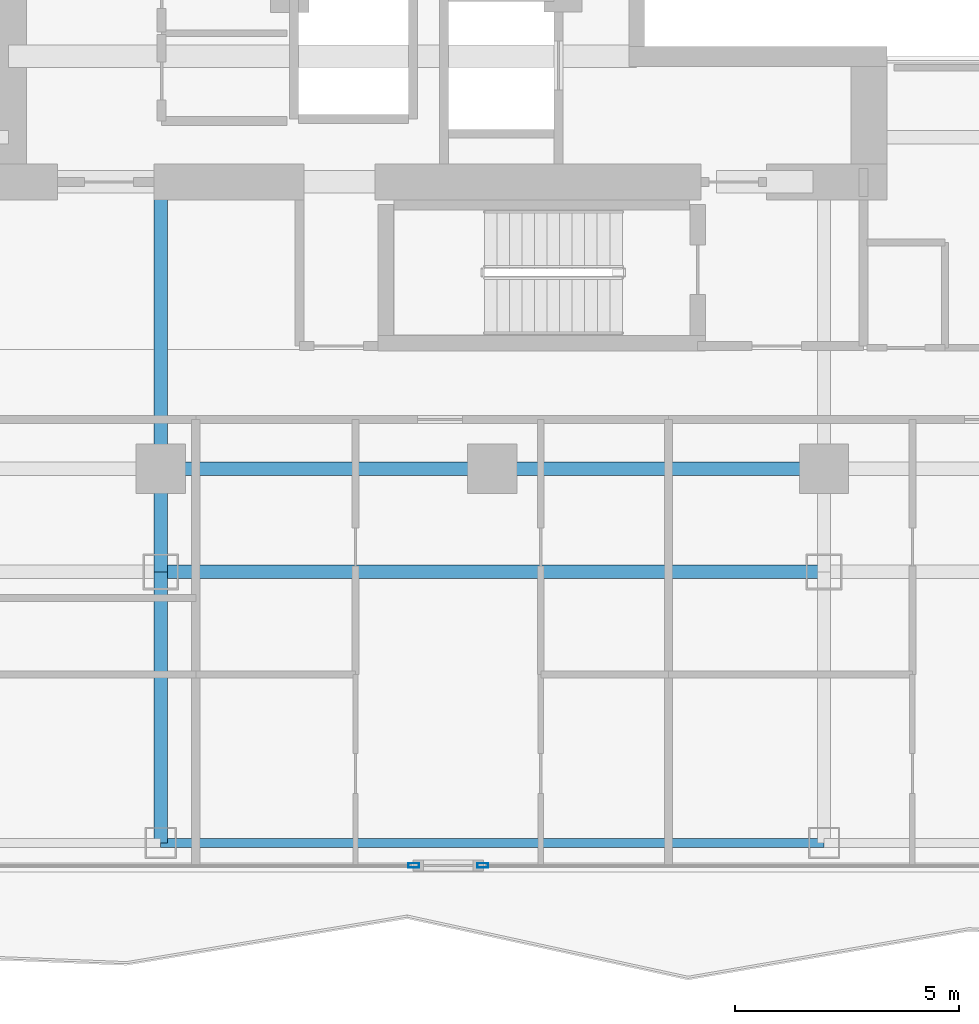
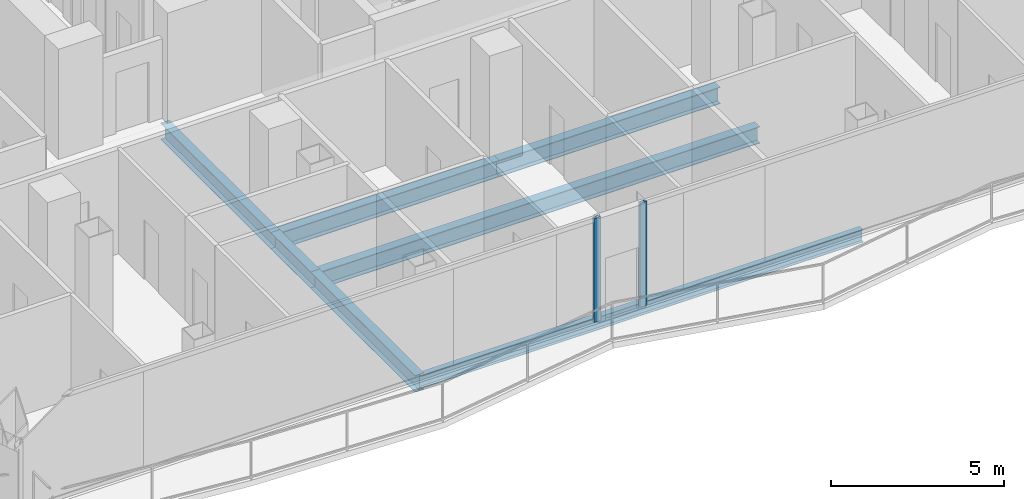
# One storey, part 4 of 27: 7 beams, 2 members, 2 elements without a shape of their own.
"""IFC4 building model written with IfcOpenShell, lengths in metres."""

import ifcopenshell
import ifcopenshell.guid

model = None  # the IFC model being written
_history = None  # IfcOwnerHistory: only IFC2X3 demands one
_inside = {}  # id of a spatial element -> (the spatial element, [elements in it])
_under = {}  # id of a project, library or spatial element -> (it, [spatial elements below it])
_declared = {}  # id of a project -> (the project, [libraries it declares])
_typed = {}  # id of a type object -> (the type object, [elements of that type])
_made_of = {}  # id of a material, layer set ... -> (it, [elements and type objects made of it])


def new_model(schema):
    """Start an empty IFC model of exactly this schema.

    Asked for "IFC4X3", IfcOpenShell would pick the latest addendum, in which some entities
    have other attributes; the version numbers below select the first issue.
    IFC2X3 requires an IfcOwnerHistory on every rooted entity: one is made here for all.
    """
    global model, _history
    if schema == "IFC4X3":
        model = ifcopenshell.file(schema_version=(4, 3, 0, 0))
    else:
        model = ifcopenshell.file(schema=schema)
    _inside.clear()
    _under.clear()
    _declared.clear()
    _typed.clear()
    _made_of.clear()
    _history = None
    if model.schema == "IFC2X3":
        org = make("IfcOrganization", Name="unknown")
        user = make(
            "IfcPersonAndOrganization",
            ThePerson=make("IfcPerson", FamilyName="unknown"),
            TheOrganization=org,
        )
        app = make(
            "IfcApplication",
            ApplicationDeveloper=org,
            Version="unknown",
            ApplicationFullName="unknown",
            ApplicationIdentifier="unknown",
        )
        _history = make(
            "IfcOwnerHistory",
            OwningUser=user,
            OwningApplication=app,
            ChangeAction="ADDED",
            CreationDate=0,
        )
    return model


def make(cls, **values):
    """One entity of the class cls with the attributes given. An attribute that is None is left unset."""
    return model.create_entity(
        cls, **{name: value for name, value in values.items() if value is not None}
    )


def rooted(cls, **values):
    """An entity with a GlobalId (a new one), such as an element, a storey or a relation."""
    return make(cls, GlobalId=ifcopenshell.guid.new(), OwnerHistory=_history, **values)


def si_unit(unit_type, name, prefix=None):
    """IfcSIUnit, for example si_unit("LENGTHUNIT", "METRE", prefix="MILLI")."""
    return make("IfcSIUnit", UnitType=unit_type, Prefix=prefix, Name=name)


def assignment(units):
    """IfcUnitAssignment: the units of a project."""
    return None if units is None else make("IfcUnitAssignment", Units=units)


def point(xyz):
    """IfcCartesianPoint."""
    return None if xyz is None else make("IfcCartesianPoint", Coordinates=xyz)


def direction(xyz):
    """IfcDirection."""
    return None if xyz is None else make("IfcDirection", DirectionRatios=xyz)


def frame(location, z_axis=None, x_axis=None):
    """IfcAxis2Placement3D, a coordinate frame: its origin and axes. An axis left out is left unset."""
    return make(
        "IfcAxis2Placement3D",
        Location=point(location),
        Axis=direction(z_axis),
        RefDirection=direction(x_axis),
    )


def frame_2d(location, x_axis=None):
    """IfcAxis2Placement2D, a coordinate frame in the plane: its origin and x axis."""
    return make(
        "IfcAxis2Placement2D", Location=point(location), RefDirection=direction(x_axis)
    )


def origin():
    """The frame at (0, 0, 0) with its axes left unset."""
    return frame((0.0, 0.0, 0.0))


def origin_2d():
    """The frame at (0, 0) in the plane with its x axis left unset."""
    return frame_2d((0.0, 0.0))


def place(relative_to, where):
    """IfcLocalPlacement: puts the frame where relative to a parent placement (None: the world)."""
    return make(
        "IfcLocalPlacement", PlacementRelTo=relative_to, RelativePlacement=where
    )


def context(
    kind, dimensions, precision=None, world=None, true_north=None, identifier=None
):
    """IfcGeometricRepresentationContext, for example the 3D "Model" context."""
    return make(
        "IfcGeometricRepresentationContext",
        ContextIdentifier=identifier,
        ContextType=kind,
        CoordinateSpaceDimension=dimensions,
        Precision=precision,
        WorldCoordinateSystem=world,
        TrueNorth=true_north,
    )


def subcontext(parent, identifier, kind, view, scale=None):
    """IfcGeometricRepresentationSubContext, for example "Body" below "Model"."""
    return make(
        "IfcGeometricRepresentationSubContext",
        ContextIdentifier=identifier,
        ContextType=kind,
        ParentContext=parent,
        TargetScale=scale,
        TargetView=view,
    )


def project(units=None, contexts=None):
    """IfcProject with its units and contexts."""
    return rooted(
        "IfcProject",
        Name="project",
        RepresentationContexts=contexts,
        UnitsInContext=assignment(units),
    )


def spatial(cls, under=None, at=None, **own):
    """A site, building, storey or space (cls), placed at a placement, below another one or the project."""
    s = rooted(cls, ObjectPlacement=at, **own)
    if under is not None:
        _under.setdefault(under.id(), (under, []))[1].append(s)
    return s


def profile(cls, at=None, kind="AREA", **sizes):
    """A parametric profile (cls). Its sizes go by their IFC names, for example OverallWidth=200.0."""
    return make(cls, ProfileType=kind, Position=at, **sizes)


def hollow_rectangle(**sizes):
    """IfcRectangleHollowProfileDef."""
    return profile("IfcRectangleHollowProfileDef", **sizes)


def i_section(**sizes):
    """IfcIShapeProfileDef."""
    return profile("IfcIShapeProfileDef", **sizes)


def extrude(swept, where, along, depth):
    """IfcExtrudedAreaSolid: the profile swept, set in the frame where, extruded along a direction by depth."""
    return make(
        "IfcExtrudedAreaSolid",
        SweptArea=swept,
        Position=where,
        ExtrudedDirection=direction(along),
        Depth=depth,
    )


def shape(context_of_items, identifier, shape_type, items):
    """IfcShapeRepresentation: the items that make up one representation, for example the "Body"."""
    return make(
        "IfcShapeRepresentation",
        ContextOfItems=context_of_items,
        RepresentationIdentifier=identifier,
        RepresentationType=shape_type,
        Items=items,
    )


def material(Name=None, Category=None):
    """IfcMaterial."""
    return make("IfcMaterial", Name=Name, Category=Category)


def layer(
    of_material, thickness, ventilated=None, Name=None, Category=None, Priority=None
):
    """IfcMaterialLayer: one layer of a wall or slab, of a material (None: an air gap)."""
    return make(
        "IfcMaterialLayer",
        Material=of_material,
        LayerThickness=thickness,
        IsVentilated=ventilated,
        Name=Name,
        Category=Category,
        Priority=Priority,
    )


def layer_set(layers, Name=None):
    """IfcMaterialLayerSet."""
    return make("IfcMaterialLayerSet", MaterialLayers=layers, LayerSetName=Name)


def material_profile(
    of_material, cross_section, Name=None, Category=None, Priority=None
):
    """IfcMaterialProfile: a cross section and its material."""
    return make(
        "IfcMaterialProfile",
        Name=Name,
        Material=of_material,
        Profile=cross_section,
        Priority=Priority,
        Category=Category,
    )


def profile_set(profiles, Name=None, composite=None):
    """IfcMaterialProfileSet."""
    return make(
        "IfcMaterialProfileSet",
        Name=Name,
        MaterialProfiles=profiles,
        CompositeProfile=composite,
    )


def made_of(thing, what):
    """Note that an element or type object is made of a material, layer set ...; save() writes the relation."""
    if what is not None:
        _made_of.setdefault(what.id(), (what, []))[1].append(thing)
    return thing


def type_object(cls, material=None, **own):
    """A type object (cls), such as IfcWallType, which elements share."""
    return made_of(rooted(cls, **own), material)


def element(
    cls,
    number,
    at=None,
    inside=None,
    cuts=None,
    type_object=None,
    material=None,
    context=None,
    identifier="Body",
    shape_type=None,
    held_by="IfcProductDefinitionShape",
    body=None,
    shapes=None,
    **own,
):
    """One element of the class cls, such as IfcWall. Its Tag is "e" and its number.

    at: its placement. inside: the storey or other place that contains it. cuts: it is an
    opening in that element (IfcRelVoidsElement). A single representation is given by context,
    identifier, shape_type and body (its items); several are given by shapes. held_by: the class
    of the entity that holds the representations. save() writes the other relations.
    """
    e = rooted(cls, Tag="e%d" % number, ObjectPlacement=at, **own)
    if body is not None:
        shapes = [shape(context, identifier, shape_type, body)]
    if shapes is not None:
        e.Representation = make(held_by, Representations=shapes)
    if inside is not None:
        _inside.setdefault(inside.id(), (inside, []))[1].append(e)
    if cuts is not None:
        rooted(
            "IfcRelVoidsElement", RelatingBuildingElement=cuts, RelatedOpeningElement=e
        )
    if type_object is not None:
        _typed.setdefault(type_object.id(), (type_object, []))[1].append(e)
    return made_of(e, material)


def aggregate(whole, parts):
    """IfcRelAggregates: a whole, such as a stair, and the parts it consists of."""
    return rooted("IfcRelAggregates", RelatingObject=whole, RelatedObjects=parts)


def save(model, path):
    """Write the relations noted so far, then the file.

    IfcRelAggregates (storeys below a building ...), IfcRelContainedInSpatialStructure (elements
    in a storey), IfcRelDefinesByType, IfcRelAssociatesMaterial and IfcRelDeclares: one each for
    every whole, place, type object, material and project.
    """
    for whole, parts in _under.values():
        aggregate(whole, parts)
    for where, things in _inside.values():
        rooted(
            "IfcRelContainedInSpatialStructure",
            RelatedElements=things,
            RelatingStructure=where,
        )
    for kind, things in _typed.values():
        rooted("IfcRelDefinesByType", RelatedObjects=things, RelatingType=kind)
    for what, things in _made_of.values():
        rooted("IfcRelAssociatesMaterial", RelatedObjects=things, RelatingMaterial=what)
    for by, libraries in _declared.values():
        rooted("IfcRelDeclares", RelatingContext=by, RelatedDefinitions=libraries)
    model.write(path)


model = new_model("IFC4")

# Units and contexts
model_context = context("Model", 3, precision=1e-05, world=origin(), true_north=direction((0.0, 1.0)))
body_context = subcontext(model_context, "Body", "Model", "MODEL_VIEW")
ifc_project = project(units=[si_unit("LENGTHUNIT", "METRE"), si_unit("AREAUNIT", "SQUARE_METRE"), si_unit("VOLUMEUNIT", "CUBIC_METRE"), si_unit("PLANEANGLEUNIT", "RADIAN"), si_unit("MASSUNIT", "GRAM", prefix="KILO")], contexts=[model_context])

# Site, building, storey
site_placement = place(None, origin())
site = spatial("IfcSite", under=ifc_project, at=site_placement, CompositionType="ELEMENT")
building_placement = place(site_placement, origin())
building = spatial("IfcBuilding", under=site, at=building_placement, Name="Khorvyn Point Tower", CompositionType="ELEMENT")
storey_placement = place(building_placement, frame((0.0, 0.0, 179.699951171875)))
storey = spatial("IfcBuildingStorey", under=building, at=storey_placement, Name="L44", CompositionType="ELEMENT", Elevation=179.699951171875)

# Curtain wall, member
ifc_material_1 = material(Name="Anodised aluminium 6063-T6 and laminated Low-E glass", Category="aluminium")
ifc_layer = layer(ifc_material_1, 0.18994140625)
ifc_layer_set = layer_set([ifc_layer], Name="Stick-Built Acoustic Curtain Wall CW-SYS-03")
curtain_wall_type = type_object("IfcCurtainWallType", Name="Stick-Built Acoustic Curtain Wall CW-SYS-03", PredefinedType="NOTDEFINED", material=ifc_layer_set)
curtain_wall_1_placement = place(storey_placement, origin())
curtain_wall_1 = element("IfcCurtainWall", 1, at=curtain_wall_1_placement, inside=storey, type_object=curtain_wall_type, Name="Curtain Wall", PredefinedType="NOTDEFINED")
ifc_material_2 = material(Name="Anodised aluminium 6063-T6", Category="aluminium")
ifc_material_profile_1 = material_profile(ifc_material_2, hollow_rectangle(XDim=0.10009765625, YDim=0.239990234375, WallThickness=0.0048828125, at=origin_2d()))
ifc_profile_set_1 = profile_set([ifc_material_profile_1], Name="Anodised aluminium 6063-T6 ALU-MUL-100x240")
member_type = type_object("IfcMemberType", Name="Anodised Aluminium 6063-T6 Mullion ALU-MUL-100x240", PredefinedType="MULLION", material=ifc_profile_set_1)
member_1_placement = place(storey_placement, frame((-0.216064453125, -23.64990234375, 0.0), z_axis=(0.0, 0.0, 1.0), x_axis=(0.0, -1.0, 0.0)))
member_1 = element("IfcMember", 2, at=member_1_placement, type_object=member_type, Name="Transom", PredefinedType="MULLION", context=body_context, shape_type="SweptSolid", body=[
    extrude(hollow_rectangle(XDim=0.10009765625, YDim=0.239990234375, WallThickness=0.0048828125, at=origin_2d()), origin(), (0.0, 0.0, 1.0), 3.679931640625),
])
aggregate(curtain_wall_1, [member_1])

curtain_wall_2_placement = place(storey_placement, origin())
curtain_wall_2 = element("IfcCurtainWall", 3, at=curtain_wall_2_placement, inside=storey, type_object=curtain_wall_type, Name="Curtain Wall", PredefinedType="NOTDEFINED")
member_2_placement = place(storey_placement, frame((-1.756103515625, -23.64990234375, 0.0), z_axis=(0.0, 0.0, 1.0), x_axis=(0.0, -1.0, 0.0)))
member_2 = element("IfcMember", 4, at=member_2_placement, type_object=member_type, Name="Transom", PredefinedType="MULLION", context=body_context, shape_type="SweptSolid", body=[
    extrude(hollow_rectangle(XDim=0.10009765625, YDim=0.239990234375, WallThickness=0.0048828125, at=origin_2d()), origin(), (0.0, 0.0, 1.0), 3.679931640625),
])
aggregate(curtain_wall_2, [member_2])

# Beams
ifc_material_3 = material(Name="Steel S355", Category="steel")
ifc_material_profile_2 = material_profile(ifc_material_3, i_section(OverallWidth=0.300048828125, OverallDepth=0.587890625, WebThickness=0.011962890625, FlangeThickness=0.02001953125, at=origin_2d()))
ifc_profile_set_2 = profile_set([ifc_material_profile_2], Name="Steel S355 H588x300x12x20")
beam_type_1 = type_object("IfcBeamType", Name="Steel S355 Beam H588x300x12x20", PredefinedType="BEAM", material=ifc_profile_set_2)
for number, where, z_axis, x_axis, name in (
    (5, (-7.39990234375, -14.800048828125, -0.513916015625), (1.0, 0.0, 0.0), (0.0, 1.0, 0.0), "Beam"),
    (6, (0.0, -14.800048828125, -0.513916015625), (1.0, 0.0, 0.0), (0.0, 1.0, 0.0), "Beam"),
):
    element("IfcBeam", number, at=place(storey_placement, frame(where, z_axis=z_axis, x_axis=x_axis)), inside=storey, type_object=beam_type_1, Name=name, PredefinedType="BEAM", context=body_context, shape_type="SweptSolid", body=[
        extrude(i_section(OverallWidth=0.300048828125, OverallDepth=0.587890625, WebThickness=0.011962890625, FlangeThickness=0.02001953125, at=origin_2d()), origin(), (0.0, 0.0, 1.0), 7.39990234375),
    ])
beam_1_placement = place(storey_placement, frame((-7.39990234375, -17.10009765625, -0.513916015625), z_axis=(1.0, 0.0, 0.0), x_axis=(0.0, 1.0, 0.0)))
element("IfcBeam", 7, at=beam_1_placement, inside=storey, type_object=beam_type_1, Name="Beam", PredefinedType="BEAM", context=body_context, shape_type="SweptSolid", body=[
    extrude(i_section(OverallWidth=0.300048828125, OverallDepth=0.587890625, WebThickness=0.011962890625, FlangeThickness=0.02001953125, at=origin_2d()), origin(), (0.0, 0.0, 1.0), 14.7998046875),
])
beam_2_placement = place(storey_placement, frame((-7.39990234375, -23.14990234375, -0.513916015625), z_axis=(0.0, 1.0, 0.0), x_axis=(-1.0, 0.0, 0.0)))
element("IfcBeam", 8, at=beam_2_placement, inside=storey, type_object=beam_type_1, Name="Beam", PredefinedType="BEAM", context=body_context, shape_type="SweptSolid", body=[
    extrude(i_section(OverallWidth=0.300048828125, OverallDepth=0.587890625, WebThickness=0.011962890625, FlangeThickness=0.02001953125, at=origin_2d()), origin(), (0.0, 0.0, 1.0), 6.0498046875),
])
beam_3_placement = place(storey_placement, frame((-7.39990234375, -17.10009765625, -0.513916015625), z_axis=(0.0, 1.0, 0.0), x_axis=(-1.0, 0.0, 0.0)))
element("IfcBeam", 9, at=beam_3_placement, inside=storey, type_object=beam_type_1, Name="Beam", PredefinedType="BEAM", context=body_context, shape_type="SweptSolid", body=[
    extrude(i_section(OverallWidth=0.300048828125, OverallDepth=0.587890625, WebThickness=0.011962890625, FlangeThickness=0.02001953125, at=origin_2d()), origin(), (0.0, 0.0, 1.0), 2.300048828125),
])
beam_4_placement = place(storey_placement, frame((-7.39990234375, -14.800048828125, -0.513916015625), z_axis=(0.0, 1.0, 0.0), x_axis=(-1.0, 0.0, 0.0)))
element("IfcBeam", 10, at=beam_4_placement, inside=storey, type_object=beam_type_1, Name="Beam", PredefinedType="BEAM", context=body_context, shape_type="SweptSolid", body=[
    extrude(i_section(OverallWidth=0.300048828125, OverallDepth=0.587890625, WebThickness=0.011962890625, FlangeThickness=0.02001953125, at=origin_2d()), origin(), (0.0, 0.0, 1.0), 6.400146484375),
])
ifc_material_profile_3 = material_profile(ifc_material_3, i_section(OverallWidth=0.199951171875, OverallDepth=0.449951171875, WebThickness=0.009033203125, FlangeThickness=0.013916015625, at=origin_2d()))
ifc_profile_set_3 = profile_set([ifc_material_profile_3], Name="Steel S355 H450x200x9x14")
beam_type_2 = type_object("IfcBeamType", Name="Steel S355 Spandrel H450x200x9x14", PredefinedType="SPANDREL", material=ifc_profile_set_3)
beam_5_placement = place(storey_placement, frame((-7.39990234375, -23.14990234375, -0.445068359375), z_axis=(1.0, 0.0, 0.0), x_axis=(0.0, 1.0, 0.0)))
element("IfcBeam", 11, at=beam_5_placement, inside=storey, type_object=beam_type_2, Name="Beam", PredefinedType="SPANDREL", context=body_context, shape_type="SweptSolid", body=[
    extrude(i_section(OverallWidth=0.199951171875, OverallDepth=0.449951171875, WebThickness=0.009033203125, FlangeThickness=0.013916015625, at=origin_2d()), origin(), (0.0, 0.0, 1.0), 14.7998046875),
])

save(model, "model.ifc")
